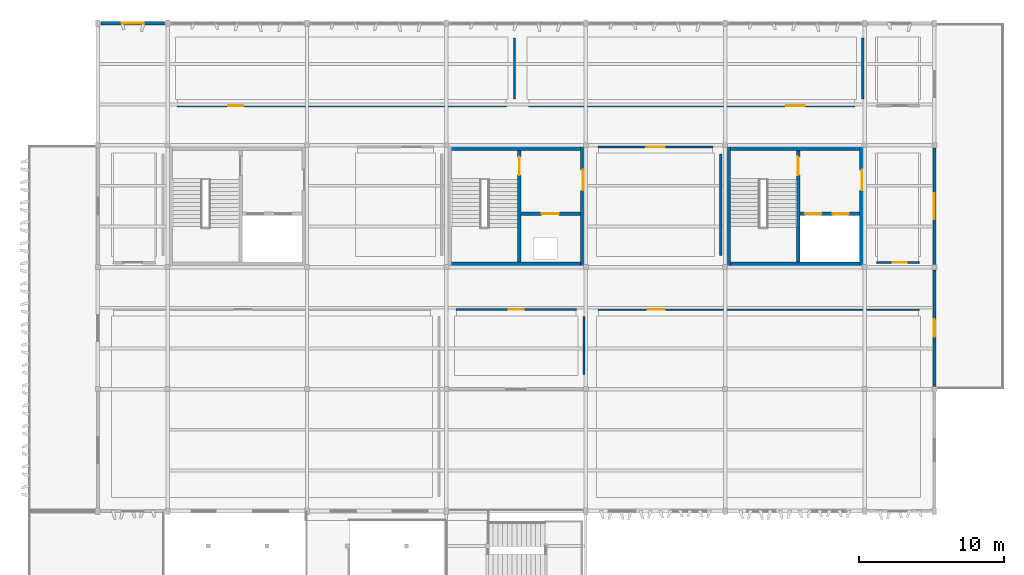
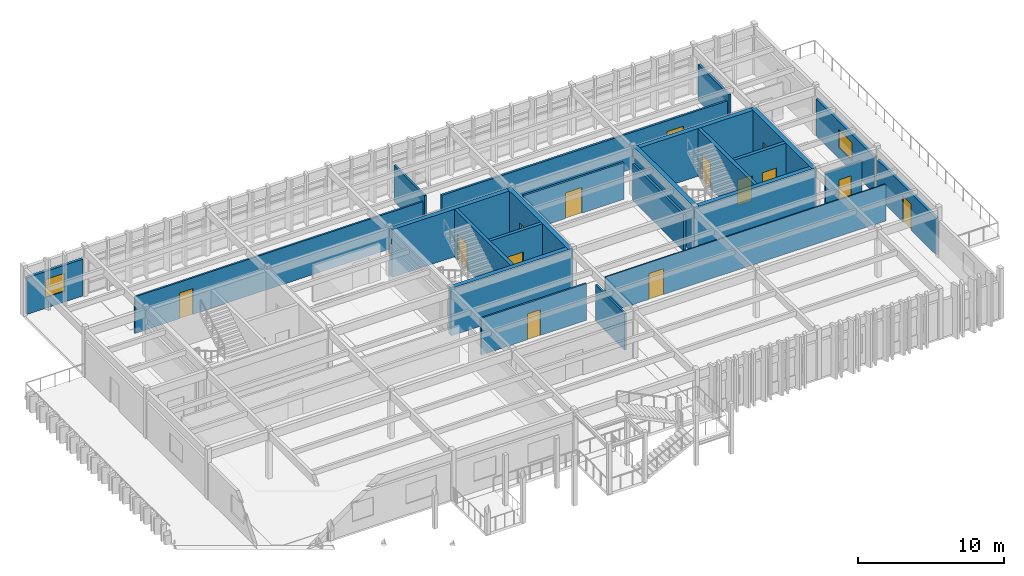
# One storey, part 9 of 14: 24 walls, 14 doors, 2 windows, 16 openings.
"""IFC4 building model written with IfcOpenShell, lengths in metres."""

from ifc_helpers import new_model, si_unit, direction, frame, frame_2d, origin, place, context, subcontext, project, spatial, rectangle, extrude, material, layer, layer_set, type_object, element, fill, save


model = new_model("IFC4")

# Units and contexts
model_context = context("Model", 3, precision=1e-05, world=origin(), true_north=direction((0.0, 1.0)))
body_context = subcontext(model_context, "Body", "Model", "MODEL_VIEW")
ifc_project = project(units=[si_unit("LENGTHUNIT", "METRE"), si_unit("AREAUNIT", "SQUARE_METRE"), si_unit("VOLUMEUNIT", "CUBIC_METRE"), si_unit("PLANEANGLEUNIT", "RADIAN"), si_unit("MASSUNIT", "GRAM", prefix="KILO")], contexts=[model_context])

# Site, building, storey
site_placement = place(None, origin())
site = spatial("IfcSite", under=ifc_project, at=site_placement, CompositionType="ELEMENT")
building_placement = place(site_placement, origin())
building = spatial("IfcBuilding", under=site, at=building_placement, Name="Kolvemor Railside Polytechnic", CompositionType="ELEMENT")
storey_placement = place(building_placement, frame((0.0, 0.0, 22.800048828125)))
storey = spatial("IfcBuildingStorey", under=building, at=storey_placement, Name="L05", CompositionType="ELEMENT", Elevation=22.800048828125)

# Walls
ifc_material_1 = material(Name="Concrete C40/50", Category="concrete")
ifc_layer_1 = layer(ifc_material_1, 0.35009765625, Name="WL-CORE-350")
ifc_layer_set_1 = layer_set([ifc_layer_1], Name="Concrete C40/50")
wall_type_1 = type_object("IfcWallType", Name="WL-CORE-350", PredefinedType="SHEAR", material=ifc_layer_set_1)
for number, where, z_axis, x_axis, name in (
    (1, (105.60009765625, 29.824951171875, 0.0), (0.0, 0.0, 1.0), (1.0, 0.0, 0.0), "CORE-2 North Core Wall L05"),
    (2, (105.60009765625, 21.77490234375, 0.0), (0.0, 0.0, 1.0), (1.0, 0.0, 0.0), "CORE-2 South Core Wall L05"),
):
    element("IfcWall", number, at=place(storey_placement, frame(where, z_axis=z_axis, x_axis=x_axis)), inside=storey, type_object=wall_type_1, Name=name, PredefinedType="SHEAR", context=body_context, shape_type="SweptSolid", body=[
        extrude(rectangle(XDim=9.599853515625, YDim=0.35009765625, at=frame_2d((4.7998046875, 0.0))), origin(), (0.0, 0.0, 1.0), 3.969970703125),
    ])
wall_1_placement = place(storey_placement, frame((105.77490234375, 21.60009765625, 0.0), z_axis=(0.0, 0.0, 1.0), x_axis=(0.0, 1.0, 0.0)))
element("IfcWall", 3, at=wall_1_placement, inside=storey, type_object=wall_type_1, Name="CORE-2 West Core Wall L05", PredefinedType="SHEAR", context=body_context, shape_type="SweptSolid", body=[
    extrude(rectangle(XDim=8.39990234375, YDim=0.35009765625, at=frame_2d((4.199951171875, 0.0))), origin(), (0.0, 0.0, 1.0), 3.969970703125),
])

# Wall, opening, door
wall_2_placement = place(storey_placement, frame((115.02490234375, 21.60009765625, 0.0), z_axis=(0.0, 0.0, 1.0), x_axis=(0.0, 1.0, 0.0)))
wall_2 = element("IfcWall", 4, at=wall_2_placement, inside=storey, type_object=wall_type_1, Name="CORE-2 East Core Wall L05", PredefinedType="SHEAR", context=body_context, shape_type="SweptSolid", body=[
    extrude(rectangle(XDim=8.39990234375, YDim=0.35009765625, at=frame_2d((4.199951171875, 0.0))), origin(), (0.0, 0.0, 1.0), 3.969970703125),
])
opening_1_placement = place(wall_2_placement, frame((5.300048828125, 0.0, 0.0)))
opening_1 = element("IfcOpeningElement", 5, at=opening_1_placement, cuts=wall_2, Name="Opening D-LOB-2-L05", PredefinedType="OPENING", context=body_context, shape_type="SweptSolid", body=[
    extrude(rectangle(XDim=1.39990234375, YDim=2.14990234375, at=frame_2d((0.699951171875, 1.074951171875))), frame((0.0, 0.18505859375, 0.0), z_axis=(0.0, -1.0, 0.0), x_axis=(1.0, 0.0, 0.0)), (0.0, 0.0, 1.0), 0.3701171875),
])
ifc_material_2 = material(Name="Fire-rated hardwood and brushed stainless-steel door", Category="steel")
door_type_1 = type_object("IfcDoorType", Name="DR-FD60-140x215", OperationType="NOTDEFINED", PredefinedType="DOOR", material=ifc_material_2)
door_1_placement = place(opening_1_placement, origin())
door_1 = element("IfcDoor", 6, at=door_1_placement, inside=storey, type_object=door_type_1, Name="Core Lobby Fire Door CORE-2 L05", OperationType="SINGLE_SWING_LEFT", OverallHeight=2.14990234375, OverallWidth=1.39990234375, PredefinedType="DOOR", context=body_context, shape_type="SweptSolid", body=[
    extrude(rectangle(XDim=1.39990234375, YDim=2.14990234375, at=frame_2d((0.699951171875, 1.074951171875))), frame((0.0, 0.02490234375, 0.0), z_axis=(0.0, -1.0, 0.0), x_axis=(1.0, 0.0, 0.0)), (0.0, 0.0, 1.0), 0.050048828125),
])
fill(opening_1, door_1)

# Walls
for number, where, z_axis, x_axis, name in (
    (7, (86.39990234375, 29.824951171875, 0.0), (0.0, 0.0, 1.0), (1.0, 0.0, 0.0), "CORE-3 North Core Wall L05"),
    (8, (86.39990234375, 21.77490234375, 0.0), (0.0, 0.0, 1.0), (1.0, 0.0, 0.0), "CORE-3 South Core Wall L05"),
):
    element("IfcWall", number, at=place(storey_placement, frame(where, z_axis=z_axis, x_axis=x_axis)), inside=storey, type_object=wall_type_1, Name=name, PredefinedType="SHEAR", context=body_context, shape_type="SweptSolid", body=[
        extrude(rectangle(XDim=9.60009765625, YDim=0.35009765625, at=frame_2d((4.800048828125, 0.0))), origin(), (0.0, 0.0, 1.0), 3.969970703125),
    ])

# Wall, opening, door
wall_3_placement = place(storey_placement, frame((95.824951171875, 21.60009765625, 0.0), z_axis=(0.0, 0.0, 1.0), x_axis=(0.0, 1.0, 0.0)))
wall_3 = element("IfcWall", 9, at=wall_3_placement, inside=storey, type_object=wall_type_1, Name="CORE-3 East Core Wall L05", PredefinedType="SHEAR", context=body_context, shape_type="SweptSolid", body=[
    extrude(rectangle(XDim=8.39990234375, YDim=0.35009765625, at=frame_2d((4.199951171875, 0.0))), origin(), (0.0, 0.0, 1.0), 3.969970703125),
])
opening_2_placement = place(wall_3_placement, frame((5.300048828125, 0.0, 0.0)))
opening_2 = element("IfcOpeningElement", 10, at=opening_2_placement, cuts=wall_3, Name="Opening D-LOB-3-L05", PredefinedType="OPENING", context=body_context, shape_type="SweptSolid", body=[
    extrude(rectangle(XDim=1.39990234375, YDim=2.14990234375, at=frame_2d((0.699951171875, 1.074951171875))), frame((0.0, 0.18505859375, 0.0), z_axis=(0.0, -1.0, 0.0), x_axis=(1.0, 0.0, 0.0)), (0.0, 0.0, 1.0), 0.3701171875),
])
door_2_placement = place(opening_2_placement, origin())
door_2 = element("IfcDoor", 11, at=door_2_placement, inside=storey, type_object=door_type_1, Name="Core Lobby Fire Door CORE-3 L05", OperationType="SINGLE_SWING_RIGHT", OverallHeight=2.14990234375, OverallWidth=1.39990234375, PredefinedType="DOOR", context=body_context, shape_type="SweptSolid", body=[
    extrude(rectangle(XDim=1.39990234375, YDim=2.14990234375, at=frame_2d((0.699951171875, 1.074951171875))), frame((0.0, 0.02490234375, 0.0), z_axis=(0.0, -1.0, 0.0), x_axis=(1.0, 0.0, 0.0)), (0.0, 0.0, 1.0), 0.050048828125),
])
fill(opening_2, door_2)

# Wall, opening, window
ifc_material_3 = material(Name="Cross-laminated timber CLT E1", Category="wood")
ifc_layer_2 = layer(ifc_material_3, 0.2099609375, Name="WL-EXT-TM-210")
ifc_layer_set_2 = layer_set([ifc_layer_2], Name="Cross-laminated timber CLT E1")
wall_type_2 = type_object("IfcWallType", Name="WL-EXT-TM-210", PredefinedType="SOLIDWALL", material=ifc_layer_set_2)
wall_4_placement = place(storey_placement, frame((67.0, 38.39990234375, 0.0), z_axis=(0.0, 0.0, 1.0), x_axis=(-1.0, 0.0, 0.0)))
wall_4 = element("IfcWall", 12, at=wall_4_placement, inside=storey, type_object=wall_type_2, Name="Exterior Wall L05-0159", PredefinedType="SOLIDWALL", context=body_context, shape_type="SweptSolid", body=[
    extrude(rectangle(XDim=4.39990234375, YDim=0.2099609375, at=frame_2d((2.199951171875, 0.0))), origin(), (0.0, 0.0, 1.0), 3.070068359375),
])
opening_3_placement = place(wall_4_placement, frame((1.449951171875, 0.0, 0.89990234375)))
opening_3 = element("IfcOpeningElement", 13, at=opening_3_placement, cuts=wall_4, Name="Opening WN-LAB4", PredefinedType="OPENING", context=body_context, shape_type="SweptSolid", body=[
    extrude(rectangle(XDim=1.5, YDim=1.5, at=frame_2d((0.75, 0.75))), frame((0.0, 0.114990234375, 0.0), z_axis=(0.0, -1.0, 0.0), x_axis=(1.0, 0.0, 0.0)), (0.0, 0.0, 1.0), 0.22998046875),
])
ifc_material_4 = material(Name="Hurricane-laminated thermally broken aluminium window", Category="aluminium")
window_type_1 = type_object("IfcWindowType", Name="WN-LAB-150x150", PartitioningType="SINGLE_PANEL", PredefinedType="WINDOW", material=ifc_material_4)
window_1_placement = place(opening_3_placement, origin())
window_1 = element("IfcWindow", 14, at=window_1_placement, inside=storey, type_object=window_type_1, Name="Window L05-0171", OverallHeight=1.5, OverallWidth=1.5, PartitioningType="SINGLE_PANEL", PredefinedType="WINDOW", context=body_context, shape_type="SweptSolid", body=[
    extrude(rectangle(XDim=1.5, YDim=1.5, at=frame_2d((0.75, 0.75))), frame((0.0, 0.030029296875, 0.0), z_axis=(0.0, -1.0, 0.0), x_axis=(1.0, 0.0, 0.0)), (0.0, 0.0, 1.0), 0.06005859375),
])
fill(opening_3, window_1)

# Wall, opening, door
wall_5_placement = place(storey_placement, frame((120.0, 13.39990234375, 0.0), z_axis=(0.0, 0.0, 1.0), x_axis=(0.0, 1.0, 0.0)))
wall_5 = element("IfcWall", 15, at=wall_5_placement, inside=storey, type_object=wall_type_2, Name="Exterior Wall L05-0179", PredefinedType="SOLIDWALL", context=body_context, shape_type="SweptSolid", body=[
    extrude(rectangle(XDim=8.0, YDim=0.2099609375, at=frame_2d((4.0, 0.0))), origin(), (0.0, 0.0, 1.0), 3.070068359375),
])
opening_4_placement = place(wall_5_placement, frame((3.39990234375, 0.0, 0.0)))
opening_4 = element("IfcOpeningElement", 16, at=opening_4_placement, cuts=wall_5, Name="Opening D-TER-L05E", PredefinedType="OPENING", context=body_context, shape_type="SweptSolid", body=[
    extrude(rectangle(XDim=1.199951171875, YDim=2.14990234375, at=frame_2d((0.60009765625, 1.074951171875))), frame((0.0, 0.114990234375, 0.0), z_axis=(0.0, -1.0, 0.0), x_axis=(1.0, 0.0, 0.0)), (0.0, 0.0, 1.0), 0.22998046875),
])
ifc_material_5 = material(Name="Marine-grade thermally broken aluminium and laminated glass door", Category="aluminium")
door_type_2 = type_object("IfcDoorType", Name="DR-TER-120x215", OperationType="NOTDEFINED", PredefinedType="DOOR", material=ifc_material_5)
door_3_placement = place(opening_4_placement, origin())
door_3 = element("IfcDoor", 17, at=door_3_placement, inside=storey, type_object=door_type_2, Name="Exterior Door D-TER-L05E", OperationType="SINGLE_SWING_LEFT", OverallHeight=2.14990234375, OverallWidth=1.199951171875, PredefinedType="DOOR", context=body_context, shape_type="SweptSolid", body=[
    extrude(rectangle(XDim=1.199951171875, YDim=2.14990234375, at=frame_2d((0.60009765625, 1.074951171875))), frame((0.0, 0.02490234375, 0.0), z_axis=(0.0, -1.0, 0.0), x_axis=(1.0, 0.0, 0.0)), (0.0, 0.0, 1.0), 0.050048828125),
])
fill(opening_4, door_3)

# Wall, opening, window
wall_6_placement = place(storey_placement, frame((120.0, 21.800048828125, 0.0), z_axis=(0.0, 0.0, 1.0), x_axis=(0.0, 1.0, 0.0)))
wall_6 = element("IfcWall", 18, at=wall_6_placement, inside=storey, type_object=wall_type_2, Name="Exterior Wall L05-0180", PredefinedType="SOLIDWALL", context=body_context, shape_type="SweptSolid", body=[
    extrude(rectangle(XDim=8.0, YDim=0.2099609375, at=frame_2d((4.0, 0.0))), origin(), (0.0, 0.0, 1.0), 3.070068359375),
])
opening_5_placement = place(wall_6_placement, frame((3.10009765625, 0.0, 0.89990234375)))
opening_5 = element("IfcOpeningElement", 19, at=opening_5_placement, cuts=wall_6, Name="Opening WN-LAB", PredefinedType="OPENING", context=body_context, shape_type="SweptSolid", body=[
    extrude(rectangle(XDim=1.800048828125, YDim=1.5, at=frame_2d((0.89990234375, 0.75))), frame((0.0, 0.114990234375, 0.0), z_axis=(0.0, -1.0, 0.0), x_axis=(1.0, 0.0, 0.0)), (0.0, 0.0, 1.0), 0.22998046875),
])
ifc_material_6 = material(Name="Hurricane-laminated thermally broken aluminium window", Category="aluminium")
window_type_2 = type_object("IfcWindowType", Name="WN-LAB-180x150", PartitioningType="DOUBLE_PANEL_VERTICAL", PredefinedType="WINDOW", material=ifc_material_6)
window_2_placement = place(opening_5_placement, origin())
window_2 = element("IfcWindow", 20, at=window_2_placement, inside=storey, type_object=window_type_2, Name="Window L05-0181", OverallHeight=1.5, OverallWidth=1.800048828125, PartitioningType="SINGLE_PANEL", PredefinedType="WINDOW", context=body_context, shape_type="SweptSolid", body=[
    extrude(rectangle(XDim=1.800048828125, YDim=1.5, at=frame_2d((0.89990234375, 0.75))), frame((0.0, 0.030029296875, 0.0), z_axis=(0.0, -1.0, 0.0), x_axis=(1.0, 0.0, 0.0)), (0.0, 0.0, 1.0), 0.06005859375),
])
fill(opening_5, window_2)

# Wall, opening, door
ifc_material_7 = material(Name="Demountable studio critique screen wall")
ifc_layer_3 = layer(ifc_material_7, 0.10009765625, Name="WL-MOV-100")
ifc_layer_set_3 = layer_set([ifc_layer_3], Name="Demountable studio critique screen wall")
wall_type_3 = type_object("IfcWallType", Name="WL-MOV-100", PredefinedType="MOVABLE", material=ifc_layer_set_3)
wall_7_placement = place(storey_placement, frame((96.85009765625, 18.679931640625, 0.0), z_axis=(0.0, 0.0, 1.0), x_axis=(1.0, 0.0, 0.0)))
wall_7 = element("IfcWall", 21, at=wall_7_placement, inside=storey, type_object=wall_type_3, Name="Partition Wall L05-0212", PredefinedType="MOVABLE", context=body_context, shape_type="SweptSolid", body=[
    extrude(rectangle(XDim=22.099853515625, YDim=0.10009765625, at=frame_2d((11.0498046875, 0.0))), origin(), (0.0, 0.0, 1.0), 3.050048828125),
])
opening_6_placement = place(wall_7_placement, frame((3.41796875, 0.0, 0.0)))
opening_6 = element("IfcOpeningElement", 22, at=opening_6_placement, cuts=wall_7, Name="Opening D-05120", PredefinedType="OPENING", context=body_context, shape_type="SweptSolid", body=[
    extrude(rectangle(XDim=1.179931640625, YDim=2.14990234375, at=frame_2d((0.58984375, 1.074951171875))), frame((0.0, 0.06005859375, 0.0), z_axis=(0.0, -1.0, 0.0), x_axis=(1.0, 0.0, 0.0)), (0.0, 0.0, 1.0), 0.1201171875),
])
ifc_material_8 = material(Name="Solid hardwood acoustic door", Category="wood")
door_type_3 = type_object("IfcDoorType", Name="DR-STU-118x215", OperationType="NOTDEFINED", PredefinedType="DOOR", material=ifc_material_8)
door_4_placement = place(opening_6_placement, origin())
door_4 = element("IfcDoor", 23, at=door_4_placement, inside=storey, type_object=door_type_3, Name="Room Door D-05120 (Senior Honours East Design Studio)", OperationType="SINGLE_SWING_LEFT", OverallHeight=2.14990234375, OverallWidth=1.179931640625, PredefinedType="DOOR", context=body_context, shape_type="SweptSolid", body=[
    extrude(rectangle(XDim=1.179931640625, YDim=2.14990234375, at=frame_2d((0.58984375, 1.074951171875))), frame((0.0, 0.02490234375, 0.0), z_axis=(0.0, -1.0, 0.0), x_axis=(1.0, 0.0, 0.0)), (0.0, 0.0, 1.0), 0.050048828125),
])
fill(opening_6, door_4)

ifc_material_9 = material(Name="Wet-area tile-backer partition")
ifc_layer_4 = layer(ifc_material_9, 0.1201171875, Name="WL-PART-120")
ifc_layer_set_4 = layer_set([ifc_layer_4], Name="Wet-area tile-backer partition")
wall_type_4 = type_object("IfcWallType", Name="WL-PART-120", PredefinedType="PARTITIONING", material=ifc_layer_set_4)
wall_8_placement = place(storey_placement, frame((116.050048828125, 21.919921875, 0.0), z_axis=(0.0, 0.0, 1.0), x_axis=(1.0, 0.0, 0.0)))
wall_8 = element("IfcWall", 24, at=wall_8_placement, inside=storey, type_object=wall_type_4, Name="Partition Wall L05-0219", PredefinedType="PARTITIONING", context=body_context, shape_type="SweptSolid", body=[
    extrude(rectangle(XDim=2.89990234375, YDim=0.1201171875, at=frame_2d((1.449951171875, 0.0))), origin(), (0.0, 0.0, 1.0), 3.050048828125),
])
opening_7_placement = place(wall_8_placement, frame((1.090087890625, 0.0, 0.0)))
opening_7 = element("IfcOpeningElement", 25, at=opening_7_placement, cuts=wall_8, Name="Opening D-05124", PredefinedType="OPENING", context=body_context, shape_type="SweptSolid", body=[
    extrude(rectangle(XDim=0.949951171875, YDim=2.10009765625, at=frame_2d((0.47509765625, 1.050048828125))), frame((0.0, 0.070068359375, 0.0), z_axis=(0.0, -1.0, 0.0), x_axis=(1.0, 0.0, 0.0)), (0.0, 0.0, 1.0), 0.14013671875),
])
ifc_material_10 = material(Name="Solid hardwood acoustic door", Category="wood")
door_type_4 = type_object("IfcDoorType", Name="DR-WC-095x210", OperationType="NOTDEFINED", PredefinedType="DOOR", material=ifc_material_10)
door_5_placement = place(opening_7_placement, origin())
door_5 = element("IfcDoor", 26, at=door_5_placement, inside=storey, type_object=door_type_4, Name="Room Door D-05124 (Main Stack Public and Accessible WC L05)", OperationType="SINGLE_SWING_LEFT", OverallHeight=2.10009765625, OverallWidth=0.949951171875, PredefinedType="DOOR", context=body_context, shape_type="SweptSolid", body=[
    extrude(rectangle(XDim=0.949951171875, YDim=2.10009765625, at=frame_2d((0.47509765625, 1.050048828125))), frame((0.0, 0.02490234375, 0.0), z_axis=(0.0, -1.0, 0.0), x_axis=(1.0, 0.0, 0.0)), (0.0, 0.0, 1.0), 0.050048828125),
])
fill(opening_7, door_5)

ifc_material_11 = material(Name="Seminar acoustic partition")
ifc_layer_5 = layer(ifc_material_11, 0.139892578125, Name="WL-PART-140")
ifc_layer_set_5 = layer_set([ifc_layer_5], Name="Seminar acoustic partition")
wall_type_5 = type_object("IfcWallType", Name="WL-PART-140", PredefinedType="PARTITIONING", material=ifc_layer_set_5)
wall_9_placement = place(storey_placement, frame((87.050048828125, 18.679931640625, 0.0), z_axis=(0.0, 0.0, 1.0), x_axis=(1.0, 0.0, 0.0)))
wall_9 = element("IfcWall", 27, at=wall_9_placement, inside=storey, type_object=wall_type_5, Name="Partition Wall L05-0210", PredefinedType="PARTITIONING", context=body_context, shape_type="SweptSolid", body=[
    extrude(rectangle(XDim=8.300048828125, YDim=0.139892578125, at=frame_2d((4.14990234375, 0.0))), origin(), (0.0, 0.0, 1.0), 3.050048828125),
])
opening_8_placement = place(wall_9_placement, frame((3.6298828125, 0.0, 0.0)))
opening_8 = element("IfcOpeningElement", 28, at=opening_8_placement, cuts=wall_9, Name="Opening D-05119", PredefinedType="OPENING", context=body_context, shape_type="SweptSolid", body=[
    extrude(rectangle(XDim=1.0400390625, YDim=2.14990234375, at=frame_2d((0.52001953125, 1.074951171875))), frame((0.0, 0.079833984375, 0.0), z_axis=(0.0, -1.0, 0.0), x_axis=(1.0, 0.0, 0.0)), (0.0, 0.0, 1.0), 0.159912109375),
])
ifc_material_12 = material(Name="Solid hardwood acoustic door", Category="wood")
door_type_5 = type_object("IfcDoorType", Name="DR-SEM-104x215", OperationType="NOTDEFINED", PredefinedType="DOOR", material=ifc_material_12)
door_6_placement = place(opening_8_placement, origin())
door_6 = element("IfcDoor", 29, at=door_6_placement, inside=storey, type_object=door_type_5, Name="Room Door D-05119 (South Terrace Seminar Room 501)", OperationType="SINGLE_SWING_RIGHT", OverallHeight=2.14990234375, OverallWidth=1.0400390625, PredefinedType="DOOR", context=body_context, shape_type="SweptSolid", body=[
    extrude(rectangle(XDim=1.0400390625, YDim=2.14990234375, at=frame_2d((0.52001953125, 1.074951171875))), frame((0.0, 0.02490234375, 0.0), z_axis=(0.0, -1.0, 0.0), x_axis=(1.0, 0.0, 0.0)), (0.0, 0.0, 1.0), 0.050048828125),
])
fill(opening_8, door_6)

# Wall
wall_10_placement = place(storey_placement, frame((95.8798828125, 14.199951171875, 0.0), z_axis=(0.0, 0.0, 1.0), x_axis=(0.0, 1.0, 0.0)))
element("IfcWall", 30, at=wall_10_placement, inside=storey, type_object=wall_type_5, Name="Demising Partition L05-0211", PredefinedType="PARTITIONING", context=body_context, shape_type="SweptSolid", body=[
    extrude(rectangle(XDim=4.0, YDim=0.139892578125, at=frame_2d((2.0, 0.0))), origin(), (0.0, 0.0, 1.0), 3.050048828125),
])

# Wall, opening, door
wall_11_placement = place(storey_placement, frame((67.85009765625, 32.719970703125, 0.0), z_axis=(0.0, 0.0, 1.0), x_axis=(1.0, 0.0, 0.0)))
wall_11 = element("IfcWall", 31, at=wall_11_placement, inside=storey, type_object=wall_type_5, Name="Partition Wall L05-0221", PredefinedType="PARTITIONING", context=body_context, shape_type="SweptSolid", body=[
    extrude(rectangle(XDim=22.699951171875, YDim=0.139892578125, at=frame_2d((11.35009765625, 0.0))), origin(), (0.0, 0.0, 1.0), 3.050048828125),
])
opening_9_placement = place(wall_11_placement, frame((3.529052734375, 0.0, 0.0)))
opening_9 = element("IfcOpeningElement", 32, at=opening_9_placement, cuts=wall_11, Name="Opening D-05126", PredefinedType="OPENING", context=body_context, shape_type="SweptSolid", body=[
    extrude(rectangle(XDim=1.0400390625, YDim=2.14990234375, at=frame_2d((0.52001953125, 1.074951171875))), frame((0.0, 0.079833984375, 0.0), z_axis=(0.0, -1.0, 0.0), x_axis=(1.0, 0.0, 0.0)), (0.0, 0.0, 1.0), 0.159912109375),
])
door_7_placement = place(opening_9_placement, origin())
door_7 = element("IfcDoor", 33, at=door_7_placement, inside=storey, type_object=door_type_5, Name="Room Door D-05126 (Seminar Room 502)", OperationType="SINGLE_SWING_LEFT", OverallHeight=2.14990234375, OverallWidth=1.0400390625, PredefinedType="DOOR", context=body_context, shape_type="SweptSolid", body=[
    extrude(rectangle(XDim=1.0400390625, YDim=2.14990234375, at=frame_2d((0.52001953125, 1.074951171875))), frame((0.0, 0.02490234375, 0.0), z_axis=(0.0, -1.0, 0.0), x_axis=(1.0, 0.0, 0.0)), (0.0, 0.0, 1.0), 0.050048828125),
])
fill(opening_9, door_7)

# Wall
wall_12_placement = place(storey_placement, frame((91.080078125, 33.199951171875, 0.0), z_axis=(0.0, 0.0, 1.0), x_axis=(0.0, 1.0, 0.0)))
element("IfcWall", 34, at=wall_12_placement, inside=storey, type_object=wall_type_5, Name="Demising Partition L05-0222", PredefinedType="PARTITIONING", context=body_context, shape_type="SweptSolid", body=[
    extrude(rectangle(XDim=4.199951171875, YDim=0.139892578125, at=frame_2d((2.10009765625, 0.0))), origin(), (0.0, 0.0, 1.0), 3.050048828125),
])

# Wall, opening, door
ifc_material_13 = material(Name="Fire-rated laboratory corridor partition")
ifc_layer_6 = layer(ifc_material_13, 0.1650390625, Name="WL-PART-165")
ifc_layer_set_6 = layer_set([ifc_layer_6], Name="Fire-rated laboratory corridor partition")
wall_type_6 = type_object("IfcWallType", Name="WL-PART-165", PredefinedType="PARTITIONING", material=ifc_layer_set_6)
wall_13_placement = place(storey_placement, frame((96.85009765625, 29.8798828125, 0.0), z_axis=(0.0, 0.0, 1.0), x_axis=(1.0, 0.0, 0.0)))
wall_13 = element("IfcWall", 35, at=wall_13_placement, inside=storey, type_object=wall_type_6, Name="Partition Wall L05-0217", PredefinedType="PARTITIONING", context=body_context, shape_type="SweptSolid", body=[
    extrude(rectangle(XDim=7.89990234375, YDim=0.1650390625, at=frame_2d((3.949951171875, 0.0))), origin(), (0.0, 0.0, 1.0), 3.050048828125),
])
opening_10_placement = place(wall_13_placement, frame((3.300048828125, 0.0, 0.0)))
opening_10 = element("IfcOpeningElement", 36, at=opening_10_placement, cuts=wall_13, Name="Opening D-05123", PredefinedType="OPENING", context=body_context, shape_type="SweptSolid", body=[
    extrude(rectangle(XDim=1.300048828125, YDim=2.14990234375, at=frame_2d((0.64990234375, 1.074951171875))), frame((0.0, 0.092529296875, 0.0), z_axis=(0.0, -1.0, 0.0), x_axis=(1.0, 0.0, 0.0)), (0.0, 0.0, 1.0), 0.18505859375),
])
ifc_material_14 = material(Name="Fire-rated hardwood and brushed stainless-steel door", Category="steel")
door_type_6 = type_object("IfcDoorType", Name="DR-LAB-130x215", OperationType="NOTDEFINED", PredefinedType="DOOR", material=ifc_material_14)
door_8_placement = place(opening_10_placement, origin())
door_8 = element("IfcDoor", 37, at=door_8_placement, inside=storey, type_object=door_type_6, Name="Room Door D-05123 (Smart Grid Simulation Laboratory)", OperationType="SINGLE_SWING_RIGHT", OverallHeight=2.14990234375, OverallWidth=1.300048828125, PredefinedType="DOOR", context=body_context, shape_type="SweptSolid", body=[
    extrude(rectangle(XDim=1.300048828125, YDim=2.14990234375, at=frame_2d((0.64990234375, 1.074951171875))), frame((0.0, 0.02490234375, 0.0), z_axis=(0.0, -1.0, 0.0), x_axis=(1.0, 0.0, 0.0)), (0.0, 0.0, 1.0), 0.050048828125),
])
fill(opening_10, door_8)

# Wall
wall_14_placement = place(storey_placement, frame((105.280029296875, 22.39990234375, 0.0), z_axis=(0.0, 0.0, 1.0), x_axis=(0.0, 1.0, 0.0)))
element("IfcWall", 38, at=wall_14_placement, inside=storey, type_object=wall_type_6, Name="Demising Partition L05-0218", PredefinedType="PARTITIONING", context=body_context, shape_type="SweptSolid", body=[
    extrude(rectangle(XDim=7.0, YDim=0.1650390625, at=frame_2d((3.5, 0.0))), origin(), (0.0, 0.0, 1.0), 3.050048828125),
])

# Wall, opening, door
wall_15_placement = place(storey_placement, frame((92.050048828125, 32.719970703125, 0.0), z_axis=(0.0, 0.0, 1.0), x_axis=(1.0, 0.0, 0.0)))
wall_15 = element("IfcWall", 39, at=wall_15_placement, inside=storey, type_object=wall_type_6, Name="Partition Wall L05-0223", PredefinedType="PARTITIONING", context=body_context, shape_type="SweptSolid", body=[
    extrude(rectangle(XDim=22.5, YDim=0.1650390625, at=frame_2d((11.25, 0.0))), origin(), (0.0, 0.0, 1.0), 3.050048828125),
])
opening_11_placement = place(wall_15_placement, frame((17.739990234375, 0.0, 0.0)))
opening_11 = element("IfcOpeningElement", 40, at=opening_11_placement, cuts=wall_15, Name="Opening D-05127", PredefinedType="OPENING", context=body_context, shape_type="SweptSolid", body=[
    extrude(rectangle(XDim=1.300048828125, YDim=2.14990234375, at=frame_2d((0.64990234375, 1.074951171875))), frame((0.0, 0.092529296875, 0.0), z_axis=(0.0, -1.0, 0.0), x_axis=(1.0, 0.0, 0.0)), (0.0, 0.0, 1.0), 0.18505859375),
])
door_9_placement = place(opening_11_placement, origin())
door_9 = element("IfcDoor", 41, at=door_9_placement, inside=storey, type_object=door_type_6, Name="Room Door D-05127 (Materials Informatics Laboratory)", OperationType="SINGLE_SWING_RIGHT", OverallHeight=2.14990234375, OverallWidth=1.300048828125, PredefinedType="DOOR", context=body_context, shape_type="SweptSolid", body=[
    extrude(rectangle(XDim=1.300048828125, YDim=2.14990234375, at=frame_2d((0.64990234375, 1.074951171875))), frame((0.0, 0.02490234375, 0.0), z_axis=(0.0, -1.0, 0.0), x_axis=(1.0, 0.0, 0.0)), (0.0, 0.0, 1.0), 0.050048828125),
])
fill(opening_11, door_9)

# Wall
wall_16_placement = place(storey_placement, frame((115.080078125, 33.199951171875, 0.0), z_axis=(0.0, 0.0, 1.0), x_axis=(0.0, 1.0, 0.0)))
element("IfcWall", 42, at=wall_16_placement, inside=storey, type_object=wall_type_6, Name="Demising Partition L05-0224", PredefinedType="PARTITIONING", context=body_context, shape_type="SweptSolid", body=[
    extrude(rectangle(XDim=4.199951171875, YDim=0.1650390625, at=frame_2d((2.10009765625, 0.0))), origin(), (0.0, 0.0, 1.0), 3.050048828125),
])

# Wall, opening, door
ifc_material_15 = material(Name="Concrete C40/50", Category="concrete")
ifc_layer_7 = layer(ifc_material_15, 0.25, Name="WL-SHFT-250")
ifc_layer_set_7 = layer_set([ifc_layer_7], Name="Concrete C40/50")
wall_type_7 = type_object("IfcWallType", Name="WL-SHFT-250", PredefinedType="SHEAR", material=ifc_layer_set_7)
wall_17_placement = place(storey_placement, frame((110.625, 29.64990234375, 0.0), z_axis=(0.0, 0.0, 1.0), x_axis=(0.0, -1.0, 0.0)))
wall_17 = element("IfcWall", 43, at=wall_17_placement, inside=storey, type_object=wall_type_7, Name="CORE-2 Stair-Lobby Divider Wall L05", PredefinedType="SHEAR", context=body_context, shape_type="SweptSolid", body=[
    extrude(rectangle(XDim=7.699951171875, YDim=0.25, at=frame_2d((3.85009765625, 0.0))), origin(), (0.0, 0.0, 1.0), 3.969970703125),
])
opening_12_placement = place(wall_17_placement, frame((0.449951171875, 0.0, 0.0)))
opening_12 = element("IfcOpeningElement", 44, at=opening_12_placement, cuts=wall_17, Name="Opening D-ST-2-L05", PredefinedType="OPENING", context=body_context, shape_type="SweptSolid", body=[
    extrude(rectangle(XDim=1.25, YDim=2.14990234375, at=frame_2d((0.625, 1.074951171875))), frame((0.0, 0.135009765625, 0.0), z_axis=(0.0, -1.0, 0.0), x_axis=(1.0, 0.0, 0.0)), (0.0, 0.0, 1.0), 0.27001953125),
])
ifc_material_16 = material(Name="Fire-rated hardwood and brushed stainless-steel door", Category="steel")
door_type_7 = type_object("IfcDoorType", Name="DR-FD90-125x215", OperationType="NOTDEFINED", PredefinedType="DOOR", material=ifc_material_16)
door_10_placement = place(opening_12_placement, origin())
door_10 = element("IfcDoor", 45, at=door_10_placement, inside=storey, type_object=door_type_7, Name="Stair Fire Door ST-2 L05", OperationType="SINGLE_SWING_RIGHT", OverallHeight=2.14990234375, OverallWidth=1.25, PredefinedType="DOOR", context=body_context, shape_type="SweptSolid", body=[
    extrude(rectangle(XDim=1.25, YDim=2.14990234375, at=frame_2d((0.625, 1.074951171875))), frame((0.0, 0.02490234375, 0.0), z_axis=(0.0, -1.0, 0.0), x_axis=(1.0, 0.0, 0.0)), (0.0, 0.0, 1.0), 0.050048828125),
])
fill(opening_12, door_10)

# Wall, openings, doors
wall_18_placement = place(storey_placement, frame((110.75, 25.27490234375, 0.0), z_axis=(0.0, 0.0, 1.0), x_axis=(1.0, 0.0, 0.0)))
wall_18 = element("IfcWall", 46, at=wall_18_placement, inside=storey, type_object=wall_type_7, Name="CORE-2 Lift Shaft Front Wall L05", PredefinedType="SHEAR", context=body_context, shape_type="SweptSolid", body=[
    extrude(rectangle(XDim=4.10009765625, YDim=0.25, at=frame_2d((2.050048828125, 0.0))), origin(), (0.0, 0.0, 1.0), 3.969970703125),
])
opening_13_placement = place(wall_18_placement, frame((0.35009765625, 0.0, 0.0)))
opening_13 = element("IfcOpeningElement", 47, at=opening_13_placement, cuts=wall_18, Name="Opening LD-FL-2-L05", PredefinedType="OPENING", context=body_context, shape_type="SweptSolid", body=[
    extrude(rectangle(XDim=1.10009765625, YDim=2.14990234375, at=frame_2d((0.550048828125, 1.074951171875))), frame((0.0, 0.135009765625, 0.0), z_axis=(0.0, -1.0, 0.0), x_axis=(1.0, 0.0, 0.0)), (0.0, 0.0, 1.0), 0.27001953125),
])
opening_14_placement = place(wall_18_placement, frame((2.25, 0.0, 0.0)))
opening_14 = element("IfcOpeningElement", 48, at=opening_14_placement, cuts=wall_18, Name="Opening LD-PL-2-L05", PredefinedType="OPENING", context=body_context, shape_type="SweptSolid", body=[
    extrude(rectangle(XDim=1.10009765625, YDim=2.14990234375, at=frame_2d((0.550048828125, 1.074951171875))), frame((0.0, 0.135009765625, 0.0), z_axis=(0.0, -1.0, 0.0), x_axis=(1.0, 0.0, 0.0)), (0.0, 0.0, 1.0), 0.27001953125),
])
ifc_material_17 = material(Name="Fire-rated hardwood and brushed stainless-steel door", Category="steel")
door_type_8 = type_object("IfcDoorType", Name="DR-LIFT-110x215", OperationType="SLIDING_TO_LEFT", PredefinedType="DOOR", material=ifc_material_17)
door_11_placement = place(opening_13_placement, origin())
door_11 = element("IfcDoor", 49, at=door_11_placement, inside=storey, type_object=door_type_8, Name="Lift Landing Sliding Door FL-2 L05", OperationType="SLIDING_TO_LEFT", OverallHeight=2.14990234375, OverallWidth=1.10009765625, PredefinedType="DOOR", context=body_context, shape_type="SweptSolid", body=[
    extrude(rectangle(XDim=1.10009765625, YDim=2.14990234375, at=frame_2d((0.550048828125, 1.074951171875))), frame((0.0, 0.02490234375, 0.0), z_axis=(0.0, -1.0, 0.0), x_axis=(1.0, 0.0, 0.0)), (0.0, 0.0, 1.0), 0.050048828125),
])
fill(opening_13, door_11)
door_12_placement = place(opening_14_placement, origin())
door_12 = element("IfcDoor", 50, at=door_12_placement, inside=storey, type_object=door_type_8, Name="Lift Landing Sliding Door PL-2 L05", OperationType="SLIDING_TO_LEFT", OverallHeight=2.14990234375, OverallWidth=1.10009765625, PredefinedType="DOOR", context=body_context, shape_type="SweptSolid", body=[
    extrude(rectangle(XDim=1.10009765625, YDim=2.14990234375, at=frame_2d((0.550048828125, 1.074951171875))), frame((0.0, 0.02490234375, 0.0), z_axis=(0.0, -1.0, 0.0), x_axis=(1.0, 0.0, 0.0)), (0.0, 0.0, 1.0), 0.050048828125),
])
fill(opening_14, door_12)

# Wall, opening, door
wall_19_placement = place(storey_placement, frame((91.425048828125, 29.64990234375, 0.0), z_axis=(0.0, 0.0, 1.0), x_axis=(0.0, -1.0, 0.0)))
wall_19 = element("IfcWall", 51, at=wall_19_placement, inside=storey, type_object=wall_type_7, Name="CORE-3 Stair-Lobby Divider Wall L05", PredefinedType="SHEAR", context=body_context, shape_type="SweptSolid", body=[
    extrude(rectangle(XDim=7.699951171875, YDim=0.25, at=frame_2d((3.85009765625, 0.0))), origin(), (0.0, 0.0, 1.0), 3.969970703125),
])
opening_15_placement = place(wall_19_placement, frame((0.449951171875, 0.0, 0.0)))
opening_15 = element("IfcOpeningElement", 52, at=opening_15_placement, cuts=wall_19, Name="Opening D-ST-3-L05", PredefinedType="OPENING", context=body_context, shape_type="SweptSolid", body=[
    extrude(rectangle(XDim=1.25, YDim=2.14990234375, at=frame_2d((0.625, 1.074951171875))), frame((0.0, 0.135009765625, 0.0), z_axis=(0.0, -1.0, 0.0), x_axis=(1.0, 0.0, 0.0)), (0.0, 0.0, 1.0), 0.27001953125),
])
door_13_placement = place(opening_15_placement, origin())
door_13 = element("IfcDoor", 53, at=door_13_placement, inside=storey, type_object=door_type_7, Name="Stair Fire Door ST-3 L05", OperationType="SINGLE_SWING_RIGHT", OverallHeight=2.14990234375, OverallWidth=1.25, PredefinedType="DOOR", context=body_context, shape_type="SweptSolid", body=[
    extrude(rectangle(XDim=1.25, YDim=2.14990234375, at=frame_2d((0.625, 1.074951171875))), frame((0.0, 0.02490234375, 0.0), z_axis=(0.0, -1.0, 0.0), x_axis=(1.0, 0.0, 0.0)), (0.0, 0.0, 1.0), 0.050048828125),
])
fill(opening_15, door_13)

wall_20_placement = place(storey_placement, frame((91.550048828125, 25.27490234375, 0.0), z_axis=(0.0, 0.0, 1.0), x_axis=(1.0, 0.0, 0.0)))
wall_20 = element("IfcWall", 54, at=wall_20_placement, inside=storey, type_object=wall_type_7, Name="CORE-3 Lift Shaft Front Wall L05", PredefinedType="SHEAR", context=body_context, shape_type="SweptSolid", body=[
    extrude(rectangle(XDim=4.099853515625, YDim=0.25, at=frame_2d((2.0498046875, 0.0))), origin(), (0.0, 0.0, 1.0), 3.969970703125),
])
opening_16_placement = place(wall_20_placement, frame((1.39990234375, 0.0, 0.0)))
opening_16 = element("IfcOpeningElement", 55, at=opening_16_placement, cuts=wall_20, Name="Opening D-RSR-3-L05", PredefinedType="OPENING", context=body_context, shape_type="SweptSolid", body=[
    extrude(rectangle(XDim=1.199951171875, YDim=2.14990234375, at=frame_2d((0.60009765625, 1.074951171875))), frame((0.0, 0.135009765625, 0.0), z_axis=(0.0, -1.0, 0.0), x_axis=(1.0, 0.0, 0.0)), (0.0, 0.0, 1.0), 0.27001953125),
])
ifc_material_18 = material(Name="Fire-rated hardwood and brushed stainless-steel door", Category="steel")
door_type_9 = type_object("IfcDoorType", Name="DR-FD60-120x215", OperationType="NOTDEFINED", PredefinedType="DOOR", material=ifc_material_18)
door_14_placement = place(opening_16_placement, origin())
door_14 = element("IfcDoor", 56, at=door_14_placement, inside=storey, type_object=door_type_9, Name="Riser Fire Door CORE-3 L05", OperationType="SINGLE_SWING_LEFT", OverallHeight=2.14990234375, OverallWidth=1.199951171875, PredefinedType="DOOR", context=body_context, shape_type="SweptSolid", body=[
    extrude(rectangle(XDim=1.199951171875, YDim=2.14990234375, at=frame_2d((0.60009765625, 1.074951171875))), frame((0.0, 0.02490234375, 0.0), z_axis=(0.0, -1.0, 0.0), x_axis=(1.0, 0.0, 0.0)), (0.0, 0.0, 1.0), 0.050048828125),
])
fill(opening_16, door_14)

save(model, "model.ifc")
